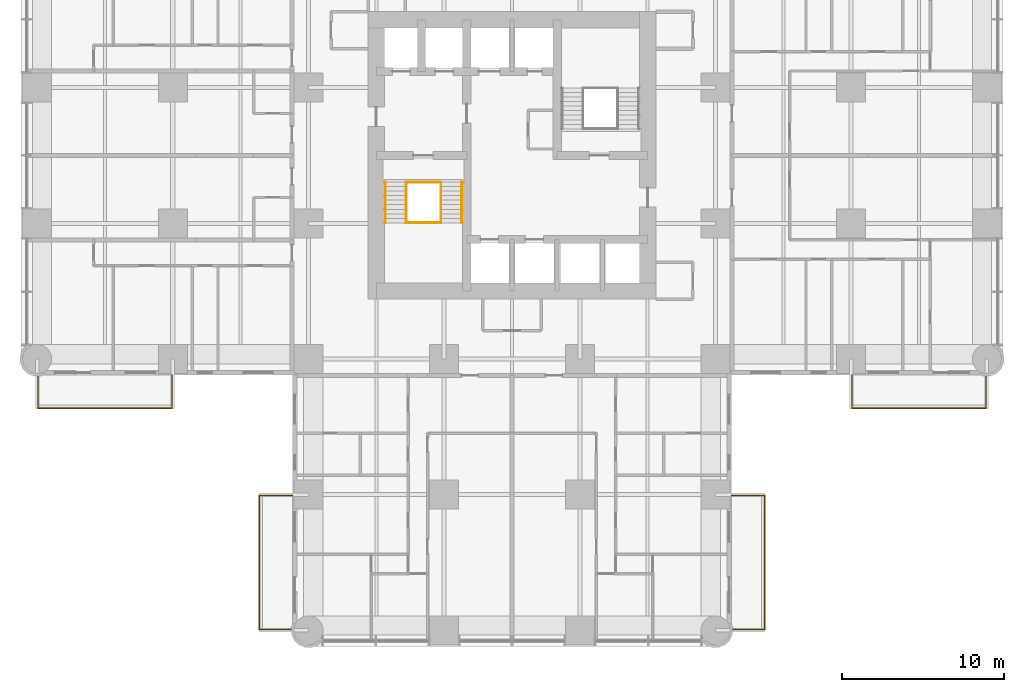
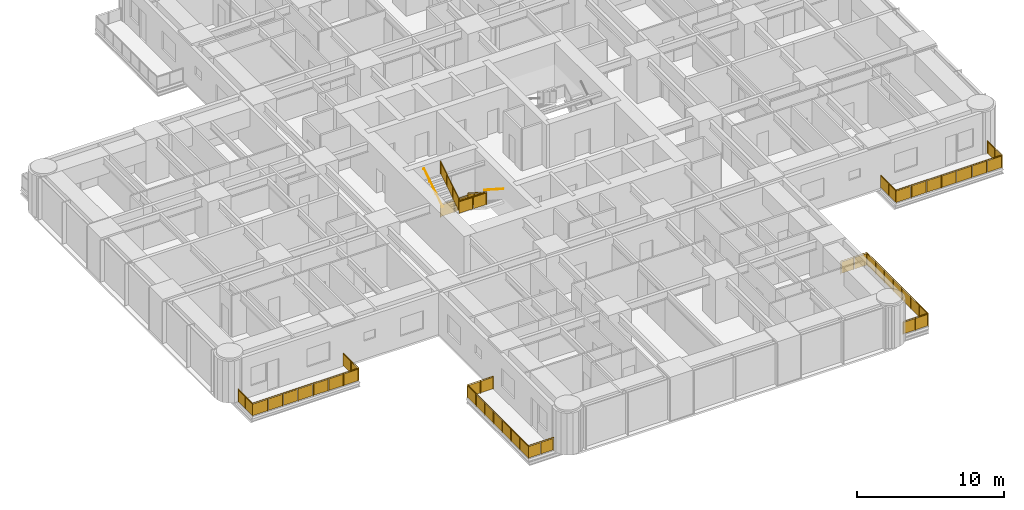
# One storey, part 16 of 17: 10 railings.
"""IFC4 building model written with IfcOpenShell, lengths in metres."""

from ifc_helpers import new_model, si_unit, direction, frame, origin, origin_2d, place, context, subcontext, project, spatial, polyline, circle, outline, extrude, material, constituent, constituent_set, type_object, element, save


model = new_model("IFC4")

# Units and contexts
model_context = context("Model", 3, precision=1e-05, world=origin(), true_north=direction((0.0, 1.0)))
body_context = subcontext(model_context, "Body", "Model", "MODEL_VIEW")
ifc_project = project(units=[si_unit("LENGTHUNIT", "METRE"), si_unit("AREAUNIT", "SQUARE_METRE"), si_unit("VOLUMEUNIT", "CUBIC_METRE"), si_unit("PLANEANGLEUNIT", "RADIAN"), si_unit("MASSUNIT", "GRAM", prefix="KILO")], contexts=[model_context])

# Site, building, storey
site_placement = place(None, origin())
site = spatial("IfcSite", under=ifc_project, at=site_placement, CompositionType="ELEMENT")
building_placement = place(site_placement, origin())
building = spatial("IfcBuilding", under=site, at=building_placement, Name="Torre Alcanfor", CompositionType="ELEMENT")
storey_placement = place(building_placement, frame((0.0, 0.0, 66.89990234375)))
storey = spatial("IfcBuildingStorey", under=building, at=storey_placement, Name="L16", CompositionType="ELEMENT", Elevation=66.89990234375)

# Railings
ifc_material_1 = material(Name="Laminated safety glass", Category="glass")
ifc_constituent_1 = constituent(ifc_material_1, Name="Infill")
ifc_material_2 = material(Name="Stainless steel ASTM A554 Grade MT 316L tube", Category="steel")
ifc_constituent_2 = constituent(ifc_material_2, Name="Posts and rail")
ifc_constituent_set = constituent_set(constituents=[ifc_constituent_1, ifc_constituent_2], Name="Balcony guard glass 1100")
railing_type_1 = type_object("IfcRailingType", Name="Balcony guard glass 1100", PredefinedType="BALUSTRADE", material=ifc_constituent_set)
railing_1_placement = place(storey_placement, frame((50.449951171875, 15.800048828125, 0.0)))
element("IfcRailing", 1, at=railing_1_placement, inside=storey, type_object=railing_type_1, Name="Balcony guard L16-E2", PredefinedType="BALUSTRADE", context=body_context, shape_type="SweptSolid", body=[
    extrude(circle(Radius=0.02392578125, at=origin_2d()), frame((0.0, 0.0, 1.076171875), z_axis=(0.0, -1.0, 0.0), x_axis=(1.0, 0.0, 0.0)), (0.0, 0.0, 1.0), 2.050048828125),
    extrude(circle(Radius=0.02392578125, at=origin_2d()), frame((0.0, -2.050048828125, 1.076171875), z_axis=(1.0, 0.0, 0.0), x_axis=(0.0, 1.0, 0.0)), (0.0, 0.0, 1.0), 8.300048828125),
    extrude(circle(Radius=0.02392578125, at=origin_2d()), frame((8.300048828125, -2.050048828125, 1.076171875), z_axis=(0.0, 1.0, 0.0), x_axis=(-1.0, 0.0, 0.0)), (0.0, 0.0, 1.0), 1.968994140625),
    extrude(circle(Radius=0.02099609375, at=origin_2d()), origin(), (0.0, 0.0, 1.0), 1.052001953125),
    extrude(circle(Radius=0.02099609375, at=origin_2d()), frame((0.0, -1.02490234375, 0.0)), (0.0, 0.0, 1.0), 1.052001953125),
    extrude(circle(Radius=0.02099609375, at=origin_2d()), frame((0.0, -2.050048828125, 0.0)), (0.0, 0.0, 1.0), 1.052001953125),
    extrude(circle(Radius=0.02099609375, at=origin_2d()), frame((1.185791015625, -2.050048828125, 0.0)), (0.0, 0.0, 1.0), 1.052001953125),
    extrude(circle(Radius=0.02099609375, at=origin_2d()), frame((2.371337890625, -2.050048828125, 0.0)), (0.0, 0.0, 1.0), 1.052001953125),
    extrude(circle(Radius=0.02099609375, at=origin_2d()), frame((3.55712890625, -2.050048828125, 0.0)), (0.0, 0.0, 1.0), 1.052001953125),
    extrude(circle(Radius=0.02099609375, at=origin_2d()), frame((4.742919921875, -2.050048828125, 0.0)), (0.0, 0.0, 1.0), 1.052001953125),
    extrude(circle(Radius=0.02099609375, at=origin_2d()), frame((5.9287109375, -2.050048828125, 0.0)), (0.0, 0.0, 1.0), 1.052001953125),
    extrude(circle(Radius=0.02099609375, at=origin_2d()), frame((7.1142578125, -2.050048828125, 0.0)), (0.0, 0.0, 1.0), 1.052001953125),
    extrude(circle(Radius=0.02099609375, at=origin_2d()), frame((8.300048828125, -2.050048828125, 0.0)), (0.0, 0.0, 1.0), 1.052001953125),
    extrude(circle(Radius=0.02099609375, at=origin_2d()), frame((8.300048828125, -1.0654296875, 0.0)), (0.0, 0.0, 1.0), 1.052001953125),
    extrude(circle(Radius=0.02099609375, at=origin_2d()), frame((8.300048828125, -0.0810546875, 0.0)), (0.0, 0.0, 1.0), 1.052001953125),
    extrude(outline(polyline([(0.041015625, 0.050048828125), (0.984130859375, 0.050048828125), (0.984130859375, 1.001953125), (0.041015625, 1.001953125), (0.041015625, 0.050048828125)])), frame((0.005859375, 0.0, 0.0), z_axis=(-1.0, 0.0, 0.0), x_axis=(0.0, -1.0, 0.0)), (0.0, 0.0, 1.0), 0.011962890625),
    extrude(outline(polyline([(1.06591796875, 0.050048828125), (2.009033203125, 0.050048828125), (2.009033203125, 1.001953125), (1.06591796875, 1.001953125), (1.06591796875, 0.050048828125)])), frame((0.005859375, 0.0, 0.0), z_axis=(-1.0, 0.0, 0.0), x_axis=(0.0, -1.0, 0.0)), (0.0, 0.0, 1.0), 0.011962890625),
    extrude(outline(polyline([(0.041015625, 0.050048828125), (1.144775390625, 0.050048828125), (1.144775390625, 1.001953125), (0.041015625, 1.001953125), (0.041015625, 0.050048828125)])), frame((0.0, -2.0439453125, 0.0), z_axis=(0.0, -1.0, 0.0), x_axis=(1.0, 0.0, 0.0)), (0.0, 0.0, 1.0), 0.011962890625),
    extrude(outline(polyline([(1.226806640625, 0.050048828125), (2.330322265625, 0.050048828125), (2.330322265625, 1.001953125), (1.226806640625, 1.001953125), (1.226806640625, 0.050048828125)])), frame((0.0, -2.0439453125, 0.0), z_axis=(0.0, -1.0, 0.0), x_axis=(1.0, 0.0, 0.0)), (0.0, 0.0, 1.0), 0.011962890625),
    extrude(outline(polyline([(2.412353515625, 0.050048828125), (3.51611328125, 0.050048828125), (3.51611328125, 1.001953125), (2.412353515625, 1.001953125), (2.412353515625, 0.050048828125)])), frame((0.0, -2.0439453125, 0.0), z_axis=(0.0, -1.0, 0.0), x_axis=(1.0, 0.0, 0.0)), (0.0, 0.0, 1.0), 0.011962890625),
    extrude(outline(polyline([(3.59814453125, 0.050048828125), (4.701904296875, 0.050048828125), (4.701904296875, 1.001953125), (3.59814453125, 1.001953125), (3.59814453125, 0.050048828125)])), frame((0.0, -2.0439453125, 0.0), z_axis=(0.0, -1.0, 0.0), x_axis=(1.0, 0.0, 0.0)), (0.0, 0.0, 1.0), 0.011962890625),
    extrude(outline(polyline([(4.783935546875, 0.050048828125), (5.8876953125, 0.050048828125), (5.8876953125, 1.001953125), (4.783935546875, 1.001953125), (4.783935546875, 0.050048828125)])), frame((0.0, -2.0439453125, 0.0), z_axis=(0.0, -1.0, 0.0), x_axis=(1.0, 0.0, 0.0)), (0.0, 0.0, 1.0), 0.011962890625),
    extrude(outline(polyline([(5.9697265625, 0.050048828125), (7.0732421875, 0.050048828125), (7.0732421875, 1.001953125), (5.9697265625, 1.001953125), (5.9697265625, 0.050048828125)])), frame((0.0, -2.0439453125, 0.0), z_axis=(0.0, -1.0, 0.0), x_axis=(1.0, 0.0, 0.0)), (0.0, 0.0, 1.0), 0.011962890625),
    extrude(outline(polyline([(7.1552734375, 0.050048828125), (8.259033203125, 0.050048828125), (8.259033203125, 1.001953125), (7.1552734375, 1.001953125), (7.1552734375, 0.050048828125)])), frame((0.0, -2.0439453125, 0.0), z_axis=(0.0, -1.0, 0.0), x_axis=(1.0, 0.0, 0.0)), (0.0, 0.0, 1.0), 0.011962890625),
    extrude(outline(polyline([(0.041015625, 0.050048828125), (0.943603515625, 0.050048828125), (0.943603515625, 1.001953125), (0.041015625, 1.001953125), (0.041015625, 0.050048828125)])), frame((8.2939453125, -2.050048828125, 0.0), z_axis=(1.0, 0.0, 0.0), x_axis=(0.0, 1.0, 0.0)), (0.0, 0.0, 1.0), 0.011962890625),
    extrude(outline(polyline([(1.025390625, 0.050048828125), (1.927978515625, 0.050048828125), (1.927978515625, 1.001953125), (1.025390625, 1.001953125), (1.025390625, 0.050048828125)])), frame((8.2939453125, -2.050048828125, 0.0), z_axis=(1.0, 0.0, 0.0), x_axis=(0.0, 1.0, 0.0)), (0.0, 0.0, 1.0), 0.011962890625),
])
railing_2_placement = place(storey_placement, frame((43.0, 8.35009765625, 0.0)))
element("IfcRailing", 2, at=railing_2_placement, inside=storey, type_object=railing_type_1, Name="Balcony guard L16-S1", PredefinedType="BALUSTRADE", context=body_context, shape_type="SweptSolid", body=[
    extrude(circle(Radius=0.02392578125, at=origin_2d()), frame((0.0, 0.0, 1.076171875), z_axis=(1.0, 0.0, 0.0), x_axis=(0.0, 1.0, 0.0)), (0.0, 0.0, 1.0), 2.050048828125),
    extrude(circle(Radius=0.02392578125, at=origin_2d()), frame((2.050048828125, 0.0, 1.076171875), z_axis=(0.0, -1.0, 0.0), x_axis=(1.0, 0.0, 0.0)), (0.0, 0.0, 1.0), 8.300048828125),
    extrude(circle(Radius=0.02392578125, at=origin_2d()), frame((2.050048828125, -8.300048828125, 1.076171875), z_axis=(-1.0, 0.0, 0.0), x_axis=(0.0, -1.0, 0.0)), (0.0, 0.0, 1.0), 1.968994140625),
    extrude(circle(Radius=0.02099609375, at=origin_2d()), origin(), (0.0, 0.0, 1.0), 1.052001953125),
    extrude(circle(Radius=0.02099609375, at=origin_2d()), frame((1.02490234375, 0.0, 0.0)), (0.0, 0.0, 1.0), 1.052001953125),
    extrude(circle(Radius=0.02099609375, at=origin_2d()), frame((2.050048828125, 0.0, 0.0)), (0.0, 0.0, 1.0), 1.052001953125),
    extrude(circle(Radius=0.02099609375, at=origin_2d()), frame((2.050048828125, -1.185791015625, 0.0)), (0.0, 0.0, 1.0), 1.052001953125),
    extrude(circle(Radius=0.02099609375, at=origin_2d()), frame((2.050048828125, -2.371337890625, 0.0)), (0.0, 0.0, 1.0), 1.052001953125),
    extrude(circle(Radius=0.02099609375, at=origin_2d()), frame((2.050048828125, -3.55712890625, 0.0)), (0.0, 0.0, 1.0), 1.052001953125),
    extrude(circle(Radius=0.02099609375, at=origin_2d()), frame((2.050048828125, -4.742919921875, 0.0)), (0.0, 0.0, 1.0), 1.052001953125),
    extrude(circle(Radius=0.02099609375, at=origin_2d()), frame((2.050048828125, -5.9287109375, 0.0)), (0.0, 0.0, 1.0), 1.052001953125),
    extrude(circle(Radius=0.02099609375, at=origin_2d()), frame((2.050048828125, -7.1142578125, 0.0)), (0.0, 0.0, 1.0), 1.052001953125),
    extrude(circle(Radius=0.02099609375, at=origin_2d()), frame((2.050048828125, -8.300048828125, 0.0)), (0.0, 0.0, 1.0), 1.052001953125),
    extrude(circle(Radius=0.02099609375, at=origin_2d()), frame((1.0654296875, -8.300048828125, 0.0)), (0.0, 0.0, 1.0), 1.052001953125),
    extrude(circle(Radius=0.02099609375, at=origin_2d()), frame((0.0810546875, -8.300048828125, 0.0)), (0.0, 0.0, 1.0), 1.052001953125),
    extrude(outline(polyline([(0.041015625, 0.050048828125), (0.984130859375, 0.050048828125), (0.984130859375, 1.001953125), (0.041015625, 1.001953125), (0.041015625, 0.050048828125)])), frame((0.0, 0.005859375, 0.0), z_axis=(0.0, -1.0, 0.0), x_axis=(1.0, 0.0, 0.0)), (0.0, 0.0, 1.0), 0.011962890625),
    extrude(outline(polyline([(1.06591796875, 0.050048828125), (2.009033203125, 0.050048828125), (2.009033203125, 1.001953125), (1.06591796875, 1.001953125), (1.06591796875, 0.050048828125)])), frame((0.0, 0.005859375, 0.0), z_axis=(0.0, -1.0, 0.0), x_axis=(1.0, 0.0, 0.0)), (0.0, 0.0, 1.0), 0.011962890625),
    extrude(outline(polyline([(0.041015625, 0.050048828125), (1.144775390625, 0.050048828125), (1.144775390625, 1.001953125), (0.041015625, 1.001953125), (0.041015625, 0.050048828125)])), frame((2.05615234375, 0.0, 0.0), z_axis=(-1.0, 0.0, 0.0), x_axis=(0.0, -1.0, 0.0)), (0.0, 0.0, 1.0), 0.011962890625),
    extrude(outline(polyline([(1.226806640625, 0.050048828125), (2.330322265625, 0.050048828125), (2.330322265625, 1.001953125), (1.226806640625, 1.001953125), (1.226806640625, 0.050048828125)])), frame((2.05615234375, 0.0, 0.0), z_axis=(-1.0, 0.0, 0.0), x_axis=(0.0, -1.0, 0.0)), (0.0, 0.0, 1.0), 0.011962890625),
    extrude(outline(polyline([(2.412353515625, 0.050048828125), (3.51611328125, 0.050048828125), (3.51611328125, 1.001953125), (2.412353515625, 1.001953125), (2.412353515625, 0.050048828125)])), frame((2.05615234375, 0.0, 0.0), z_axis=(-1.0, 0.0, 0.0), x_axis=(0.0, -1.0, 0.0)), (0.0, 0.0, 1.0), 0.011962890625),
    extrude(outline(polyline([(3.59814453125, 0.050048828125), (4.701904296875, 0.050048828125), (4.701904296875, 1.001953125), (3.59814453125, 1.001953125), (3.59814453125, 0.050048828125)])), frame((2.05615234375, 0.0, 0.0), z_axis=(-1.0, 0.0, 0.0), x_axis=(0.0, -1.0, 0.0)), (0.0, 0.0, 1.0), 0.011962890625),
    extrude(outline(polyline([(4.783935546875, 0.050048828125), (5.8876953125, 0.050048828125), (5.8876953125, 1.001953125), (4.783935546875, 1.001953125), (4.783935546875, 0.050048828125)])), frame((2.05615234375, 0.0, 0.0), z_axis=(-1.0, 0.0, 0.0), x_axis=(0.0, -1.0, 0.0)), (0.0, 0.0, 1.0), 0.011962890625),
    extrude(outline(polyline([(5.9697265625, 0.050048828125), (7.0732421875, 0.050048828125), (7.0732421875, 1.001953125), (5.9697265625, 1.001953125), (5.9697265625, 0.050048828125)])), frame((2.05615234375, 0.0, 0.0), z_axis=(-1.0, 0.0, 0.0), x_axis=(0.0, -1.0, 0.0)), (0.0, 0.0, 1.0), 0.011962890625),
    extrude(outline(polyline([(7.1552734375, 0.050048828125), (8.259033203125, 0.050048828125), (8.259033203125, 1.001953125), (7.1552734375, 1.001953125), (7.1552734375, 0.050048828125)])), frame((2.05615234375, 0.0, 0.0), z_axis=(-1.0, 0.0, 0.0), x_axis=(0.0, -1.0, 0.0)), (0.0, 0.0, 1.0), 0.011962890625),
    extrude(outline(polyline([(0.041015625, 0.050048828125), (0.943603515625, 0.050048828125), (0.943603515625, 1.001953125), (0.041015625, 1.001953125), (0.041015625, 0.050048828125)])), frame((2.050048828125, -8.30615234375, 0.0), z_axis=(0.0, 1.0, 0.0), x_axis=(-1.0, 0.0, 0.0)), (0.0, 0.0, 1.0), 0.011962890625),
    extrude(outline(polyline([(1.025390625, 0.050048828125), (1.927978515625, 0.050048828125), (1.927978515625, 1.001953125), (1.025390625, 1.001953125), (1.025390625, 0.050048828125)])), frame((2.050048828125, -8.30615234375, 0.0), z_axis=(0.0, 1.0, 0.0), x_axis=(-1.0, 0.0, 0.0)), (0.0, 0.0, 1.0), 0.011962890625),
])
railing_3_placement = place(storey_placement, frame((15.800048828125, 8.35009765625, 0.0)))
element("IfcRailing", 3, at=railing_3_placement, inside=storey, type_object=railing_type_1, Name="Balcony guard L16-S2", PredefinedType="BALUSTRADE", context=body_context, shape_type="SweptSolid", body=[
    extrude(circle(Radius=0.02392578125, at=origin_2d()), frame((0.0, 0.0, 1.076171875), z_axis=(-1.0, 0.0, 0.0), x_axis=(0.0, -1.0, 0.0)), (0.0, 0.0, 1.0), 2.050048828125),
    extrude(circle(Radius=0.02392578125, at=origin_2d()), frame((-2.050048828125, 0.0, 1.076171875), z_axis=(0.0, -1.0, 0.0), x_axis=(1.0, 0.0, 0.0)), (0.0, 0.0, 1.0), 8.300048828125),
    extrude(circle(Radius=0.02392578125, at=origin_2d()), frame((-2.050048828125, -8.300048828125, 1.076171875), z_axis=(1.0, 0.0, 0.0), x_axis=(0.0, 1.0, 0.0)), (0.0, 0.0, 1.0), 1.968994140625),
    extrude(circle(Radius=0.02099609375, at=origin_2d()), origin(), (0.0, 0.0, 1.0), 1.052001953125),
    extrude(circle(Radius=0.02099609375, at=origin_2d()), frame((-1.02490234375, 0.0, 0.0)), (0.0, 0.0, 1.0), 1.052001953125),
    extrude(circle(Radius=0.02099609375, at=origin_2d()), frame((-2.050048828125, 0.0, 0.0)), (0.0, 0.0, 1.0), 1.052001953125),
    extrude(circle(Radius=0.02099609375, at=origin_2d()), frame((-2.050048828125, -1.185791015625, 0.0)), (0.0, 0.0, 1.0), 1.052001953125),
    extrude(circle(Radius=0.02099609375, at=origin_2d()), frame((-2.050048828125, -2.371337890625, 0.0)), (0.0, 0.0, 1.0), 1.052001953125),
    extrude(circle(Radius=0.02099609375, at=origin_2d()), frame((-2.050048828125, -3.55712890625, 0.0)), (0.0, 0.0, 1.0), 1.052001953125),
    extrude(circle(Radius=0.02099609375, at=origin_2d()), frame((-2.050048828125, -4.742919921875, 0.0)), (0.0, 0.0, 1.0), 1.052001953125),
    extrude(circle(Radius=0.02099609375, at=origin_2d()), frame((-2.050048828125, -5.9287109375, 0.0)), (0.0, 0.0, 1.0), 1.052001953125),
    extrude(circle(Radius=0.02099609375, at=origin_2d()), frame((-2.050048828125, -7.1142578125, 0.0)), (0.0, 0.0, 1.0), 1.052001953125),
    extrude(circle(Radius=0.02099609375, at=origin_2d()), frame((-2.050048828125, -8.300048828125, 0.0)), (0.0, 0.0, 1.0), 1.052001953125),
    extrude(circle(Radius=0.02099609375, at=origin_2d()), frame((-1.0654296875, -8.300048828125, 0.0)), (0.0, 0.0, 1.0), 1.052001953125),
    extrude(circle(Radius=0.02099609375, at=origin_2d()), frame((-0.0810546875, -8.300048828125, 0.0)), (0.0, 0.0, 1.0), 1.052001953125),
    extrude(outline(polyline([(0.041015625, 0.050048828125), (0.984130859375, 0.050048828125), (0.984130859375, 1.001953125), (0.041015625, 1.001953125), (0.041015625, 0.050048828125)])), frame((0.0, -0.005859375, 0.0), z_axis=(0.0, 1.0, 0.0), x_axis=(-1.0, 0.0, 0.0)), (0.0, 0.0, 1.0), 0.011962890625),
    extrude(outline(polyline([(1.06591796875, 0.050048828125), (2.009033203125, 0.050048828125), (2.009033203125, 1.001953125), (1.06591796875, 1.001953125), (1.06591796875, 0.050048828125)])), frame((0.0, -0.005859375, 0.0), z_axis=(0.0, 1.0, 0.0), x_axis=(-1.0, 0.0, 0.0)), (0.0, 0.0, 1.0), 0.011962890625),
    extrude(outline(polyline([(0.041015625, 0.050048828125), (1.144775390625, 0.050048828125), (1.144775390625, 1.001953125), (0.041015625, 1.001953125), (0.041015625, 0.050048828125)])), frame((-2.0439453125, 0.0, 0.0), z_axis=(-1.0, 0.0, 0.0), x_axis=(0.0, -1.0, 0.0)), (0.0, 0.0, 1.0), 0.011962890625),
    extrude(outline(polyline([(1.226806640625, 0.050048828125), (2.330322265625, 0.050048828125), (2.330322265625, 1.001953125), (1.226806640625, 1.001953125), (1.226806640625, 0.050048828125)])), frame((-2.0439453125, 0.0, 0.0), z_axis=(-1.0, 0.0, 0.0), x_axis=(0.0, -1.0, 0.0)), (0.0, 0.0, 1.0), 0.011962890625),
    extrude(outline(polyline([(2.412353515625, 0.050048828125), (3.51611328125, 0.050048828125), (3.51611328125, 1.001953125), (2.412353515625, 1.001953125), (2.412353515625, 0.050048828125)])), frame((-2.0439453125, 0.0, 0.0), z_axis=(-1.0, 0.0, 0.0), x_axis=(0.0, -1.0, 0.0)), (0.0, 0.0, 1.0), 0.011962890625),
    extrude(outline(polyline([(3.59814453125, 0.050048828125), (4.701904296875, 0.050048828125), (4.701904296875, 1.001953125), (3.59814453125, 1.001953125), (3.59814453125, 0.050048828125)])), frame((-2.0439453125, 0.0, 0.0), z_axis=(-1.0, 0.0, 0.0), x_axis=(0.0, -1.0, 0.0)), (0.0, 0.0, 1.0), 0.011962890625),
    extrude(outline(polyline([(4.783935546875, 0.050048828125), (5.8876953125, 0.050048828125), (5.8876953125, 1.001953125), (4.783935546875, 1.001953125), (4.783935546875, 0.050048828125)])), frame((-2.0439453125, 0.0, 0.0), z_axis=(-1.0, 0.0, 0.0), x_axis=(0.0, -1.0, 0.0)), (0.0, 0.0, 1.0), 0.011962890625),
    extrude(outline(polyline([(5.9697265625, 0.050048828125), (7.0732421875, 0.050048828125), (7.0732421875, 1.001953125), (5.9697265625, 1.001953125), (5.9697265625, 0.050048828125)])), frame((-2.0439453125, 0.0, 0.0), z_axis=(-1.0, 0.0, 0.0), x_axis=(0.0, -1.0, 0.0)), (0.0, 0.0, 1.0), 0.011962890625),
    extrude(outline(polyline([(7.1552734375, 0.050048828125), (8.259033203125, 0.050048828125), (8.259033203125, 1.001953125), (7.1552734375, 1.001953125), (7.1552734375, 0.050048828125)])), frame((-2.0439453125, 0.0, 0.0), z_axis=(-1.0, 0.0, 0.0), x_axis=(0.0, -1.0, 0.0)), (0.0, 0.0, 1.0), 0.011962890625),
    extrude(outline(polyline([(0.041015625, 0.050048828125), (0.943603515625, 0.050048828125), (0.943603515625, 1.001953125), (0.041015625, 1.001953125), (0.041015625, 0.050048828125)])), frame((-2.050048828125, -8.2939453125, 0.0), z_axis=(0.0, -1.0, 0.0), x_axis=(1.0, 0.0, 0.0)), (0.0, 0.0, 1.0), 0.011962890625),
    extrude(outline(polyline([(1.025390625, 0.050048828125), (1.927978515625, 0.050048828125), (1.927978515625, 1.001953125), (1.025390625, 1.001953125), (1.025390625, 0.050048828125)])), frame((-2.050048828125, -8.2939453125, 0.0), z_axis=(0.0, -1.0, 0.0), x_axis=(1.0, 0.0, 0.0)), (0.0, 0.0, 1.0), 0.011962890625),
])
railing_4_placement = place(storey_placement, frame((8.35009765625, 15.800048828125, 0.0)))
element("IfcRailing", 4, at=railing_4_placement, inside=storey, type_object=railing_type_1, Name="Balcony guard L16-W1", PredefinedType="BALUSTRADE", context=body_context, shape_type="SweptSolid", body=[
    extrude(circle(Radius=0.02392578125, at=origin_2d()), frame((0.0, 0.0, 1.076171875), z_axis=(0.0, -1.0, 0.0), x_axis=(1.0, 0.0, 0.0)), (0.0, 0.0, 1.0), 2.050048828125),
    extrude(circle(Radius=0.02392578125, at=origin_2d()), frame((0.0, -2.050048828125, 1.076171875), z_axis=(-1.0, 0.0, 0.0), x_axis=(0.0, -1.0, 0.0)), (0.0, 0.0, 1.0), 8.300048828125),
    extrude(circle(Radius=0.02392578125, at=origin_2d()), frame((-8.300048828125, -2.050048828125, 1.076171875), z_axis=(0.0, 1.0, 0.0), x_axis=(-1.0, 0.0, 0.0)), (0.0, 0.0, 1.0), 1.968994140625),
    extrude(circle(Radius=0.02099609375, at=origin_2d()), origin(), (0.0, 0.0, 1.0), 1.052001953125),
    extrude(circle(Radius=0.02099609375, at=origin_2d()), frame((0.0, -1.02490234375, 0.0)), (0.0, 0.0, 1.0), 1.052001953125),
    extrude(circle(Radius=0.02099609375, at=origin_2d()), frame((0.0, -2.050048828125, 0.0)), (0.0, 0.0, 1.0), 1.052001953125),
    extrude(circle(Radius=0.02099609375, at=origin_2d()), frame((-1.185791015625, -2.050048828125, 0.0)), (0.0, 0.0, 1.0), 1.052001953125),
    extrude(circle(Radius=0.02099609375, at=origin_2d()), frame((-2.371337890625, -2.050048828125, 0.0)), (0.0, 0.0, 1.0), 1.052001953125),
    extrude(circle(Radius=0.02099609375, at=origin_2d()), frame((-3.55712890625, -2.050048828125, 0.0)), (0.0, 0.0, 1.0), 1.052001953125),
    extrude(circle(Radius=0.02099609375, at=origin_2d()), frame((-4.742919921875, -2.050048828125, 0.0)), (0.0, 0.0, 1.0), 1.052001953125),
    extrude(circle(Radius=0.02099609375, at=origin_2d()), frame((-5.9287109375, -2.050048828125, 0.0)), (0.0, 0.0, 1.0), 1.052001953125),
    extrude(circle(Radius=0.02099609375, at=origin_2d()), frame((-7.1142578125, -2.050048828125, 0.0)), (0.0, 0.0, 1.0), 1.052001953125),
    extrude(circle(Radius=0.02099609375, at=origin_2d()), frame((-8.300048828125, -2.050048828125, 0.0)), (0.0, 0.0, 1.0), 1.052001953125),
    extrude(circle(Radius=0.02099609375, at=origin_2d()), frame((-8.300048828125, -1.0654296875, 0.0)), (0.0, 0.0, 1.0), 1.052001953125),
    extrude(circle(Radius=0.02099609375, at=origin_2d()), frame((-8.300048828125, -0.0810546875, 0.0)), (0.0, 0.0, 1.0), 1.052001953125),
    extrude(outline(polyline([(0.041015625, 0.050048828125), (0.984130859375, 0.050048828125), (0.984130859375, 1.001953125), (0.041015625, 1.001953125), (0.041015625, 0.050048828125)])), frame((0.005859375, 0.0, 0.0), z_axis=(-1.0, 0.0, 0.0), x_axis=(0.0, -1.0, 0.0)), (0.0, 0.0, 1.0), 0.011962890625),
    extrude(outline(polyline([(1.06591796875, 0.050048828125), (2.009033203125, 0.050048828125), (2.009033203125, 1.001953125), (1.06591796875, 1.001953125), (1.06591796875, 0.050048828125)])), frame((0.005859375, 0.0, 0.0), z_axis=(-1.0, 0.0, 0.0), x_axis=(0.0, -1.0, 0.0)), (0.0, 0.0, 1.0), 0.011962890625),
    extrude(outline(polyline([(0.041015625, 0.050048828125), (1.144775390625, 0.050048828125), (1.144775390625, 1.001953125), (0.041015625, 1.001953125), (0.041015625, 0.050048828125)])), frame((0.0, -2.05615234375, 0.0), z_axis=(0.0, 1.0, 0.0), x_axis=(-1.0, 0.0, 0.0)), (0.0, 0.0, 1.0), 0.011962890625),
    extrude(outline(polyline([(1.226806640625, 0.050048828125), (2.330322265625, 0.050048828125), (2.330322265625, 1.001953125), (1.226806640625, 1.001953125), (1.226806640625, 0.050048828125)])), frame((0.0, -2.05615234375, 0.0), z_axis=(0.0, 1.0, 0.0), x_axis=(-1.0, 0.0, 0.0)), (0.0, 0.0, 1.0), 0.011962890625),
    extrude(outline(polyline([(2.412353515625, 0.050048828125), (3.51611328125, 0.050048828125), (3.51611328125, 1.001953125), (2.412353515625, 1.001953125), (2.412353515625, 0.050048828125)])), frame((0.0, -2.05615234375, 0.0), z_axis=(0.0, 1.0, 0.0), x_axis=(-1.0, 0.0, 0.0)), (0.0, 0.0, 1.0), 0.011962890625),
    extrude(outline(polyline([(3.59814453125, 0.050048828125), (4.701904296875, 0.050048828125), (4.701904296875, 1.001953125), (3.59814453125, 1.001953125), (3.59814453125, 0.050048828125)])), frame((0.0, -2.05615234375, 0.0), z_axis=(0.0, 1.0, 0.0), x_axis=(-1.0, 0.0, 0.0)), (0.0, 0.0, 1.0), 0.011962890625),
    extrude(outline(polyline([(4.783935546875, 0.050048828125), (5.8876953125, 0.050048828125), (5.8876953125, 1.001953125), (4.783935546875, 1.001953125), (4.783935546875, 0.050048828125)])), frame((0.0, -2.05615234375, 0.0), z_axis=(0.0, 1.0, 0.0), x_axis=(-1.0, 0.0, 0.0)), (0.0, 0.0, 1.0), 0.011962890625),
    extrude(outline(polyline([(5.9697265625, 0.050048828125), (7.0732421875, 0.050048828125), (7.0732421875, 1.001953125), (5.9697265625, 1.001953125), (5.9697265625, 0.050048828125)])), frame((0.0, -2.05615234375, 0.0), z_axis=(0.0, 1.0, 0.0), x_axis=(-1.0, 0.0, 0.0)), (0.0, 0.0, 1.0), 0.011962890625),
    extrude(outline(polyline([(7.1552734375, 0.050048828125), (8.259033203125, 0.050048828125), (8.259033203125, 1.001953125), (7.1552734375, 1.001953125), (7.1552734375, 0.050048828125)])), frame((0.0, -2.05615234375, 0.0), z_axis=(0.0, 1.0, 0.0), x_axis=(-1.0, 0.0, 0.0)), (0.0, 0.0, 1.0), 0.011962890625),
    extrude(outline(polyline([(0.041015625, 0.050048828125), (0.943603515625, 0.050048828125), (0.943603515625, 1.001953125), (0.041015625, 1.001953125), (0.041015625, 0.050048828125)])), frame((-8.30615234375, -2.050048828125, 0.0), z_axis=(1.0, 0.0, 0.0), x_axis=(0.0, 1.0, 0.0)), (0.0, 0.0, 1.0), 0.011962890625),
    extrude(outline(polyline([(1.025390625, 0.050048828125), (1.927978515625, 0.050048828125), (1.927978515625, 1.001953125), (1.025390625, 1.001953125), (1.025390625, 0.050048828125)])), frame((-8.30615234375, -2.050048828125, 0.0), z_axis=(1.0, 0.0, 0.0), x_axis=(0.0, 1.0, 0.0)), (0.0, 0.0, 1.0), 0.011962890625),
])
ifc_material_3 = material(Name="Steel ASTM A500 Grade C hollow sections", Category="steel")
railing_type_2 = type_object("IfcRailingType", Name="Stair guard and handrail 1100", PredefinedType="GUARDRAIL", material=ifc_material_3)
railing_5_placement = place(storey_placement, frame((25.0, 27.75, 0.18017578125)))
element("IfcRailing", 5, at=railing_5_placement, inside=storey, type_object=railing_type_2, Name="Stair guard S1 L16 flight 1", PredefinedType="GUARDRAIL", context=body_context, shape_type="SweptSolid", body=[
    extrude(circle(Radius=0.02392578125, at=origin_2d()), frame((0.0, 0.0, 1.076171875), z_axis=(0.0, -0.841199657755, 0.540724639528), x_axis=(1.0, 0.0, 0.0)), (0.0, 0.0, 1.0), 2.995849609375),
    extrude(circle(Radius=0.02099609375, at=origin_2d()), origin(), (0.0, 0.0, 1.0), 1.052001953125),
    extrude(circle(Radius=0.02099609375, at=origin_2d()), frame((0.0, -0.840087890625, 0.5400390625)), (0.0, 0.0, 1.0), 1.052001953125),
    extrude(circle(Radius=0.02099609375, at=origin_2d()), frame((0.0, -1.679931640625, 1.079833984375)), (0.0, 0.0, 1.0), 1.052001953125),
    extrude(circle(Radius=0.02099609375, at=origin_2d()), frame((0.0, -2.52001953125, 1.619873046875)), (0.0, 0.0, 1.0), 1.052001953125),
    extrude(outline(polyline([(0.041015625, 0.076416015625), (0.799072265625, 0.563720703125), (0.799072265625, 1.515625), (0.041015625, 1.0283203125), (0.041015625, 0.076416015625)])), frame((0.005859375, 0.0, 0.0), z_axis=(-1.0, 0.0, 0.0), x_axis=(0.0, -1.0, 0.0)), (0.0, 0.0, 1.0), 0.011962890625),
    extrude(outline(polyline([(0.881103515625, 0.6162109375), (1.638916015625, 1.103515625), (1.638916015625, 2.0556640625), (0.881103515625, 1.568359375), (0.881103515625, 0.6162109375)])), frame((0.005859375, 0.0, 0.0), z_axis=(-1.0, 0.0, 0.0), x_axis=(0.0, -1.0, 0.0)), (0.0, 0.0, 1.0), 0.011962890625),
    extrude(outline(polyline([(1.720947265625, 1.15625), (2.47900390625, 1.6435546875), (2.47900390625, 2.595458984375), (1.720947265625, 2.108154296875), (1.720947265625, 1.15625)])), frame((0.005859375, 0.0, 0.0), z_axis=(-1.0, 0.0, 0.0), x_axis=(0.0, -1.0, 0.0)), (0.0, 0.0, 1.0), 0.011962890625),
])
railing_6_placement = place(storey_placement, frame((22.85009765625, 25.22998046875, 1.97998046875)))
element("IfcRailing", 6, at=railing_6_placement, inside=storey, type_object=railing_type_2, Name="Stair guard S1 L16 flight 2", PredefinedType="GUARDRAIL", context=body_context, shape_type="SweptSolid", body=[
    extrude(circle(Radius=0.02392578125, at=origin_2d()), frame((0.0, 0.0, 1.076171875), z_axis=(0.0, 0.841162588446, 0.540782303519), x_axis=(-1.0, 0.0, 0.0)), (0.0, 0.0, 1.0), 2.995849609375),
    extrude(circle(Radius=0.02099609375, at=origin_2d()), origin(), (0.0, 0.0, 1.0), 1.052001953125),
    extrude(circle(Radius=0.02099609375, at=origin_2d()), frame((0.0, 0.840087890625, 0.5400390625)), (0.0, 0.0, 1.0), 1.052001953125),
    extrude(circle(Radius=0.02099609375, at=origin_2d()), frame((0.0, 1.679931640625, 1.080078125)), (0.0, 0.0, 1.0), 1.052001953125),
    extrude(circle(Radius=0.02099609375, at=origin_2d()), frame((0.0, 2.52001953125, 1.6201171875)), (0.0, 0.0, 1.0), 1.052001953125),
    extrude(outline(polyline([(0.041015625, 0.076416015625), (0.799072265625, 0.563720703125), (0.799072265625, 1.515625), (0.041015625, 1.0283203125), (0.041015625, 0.076416015625)])), frame((-0.005859375, 0.0, 0.0), z_axis=(1.0, 0.0, 0.0), x_axis=(0.0, 1.0, 0.0)), (0.0, 0.0, 1.0), 0.011962890625),
    extrude(outline(polyline([(0.881103515625, 0.616455078125), (1.638916015625, 1.103759765625), (1.638916015625, 2.0556640625), (0.881103515625, 1.568359375), (0.881103515625, 0.616455078125)])), frame((-0.005859375, 0.0, 0.0), z_axis=(1.0, 0.0, 0.0), x_axis=(0.0, 1.0, 0.0)), (0.0, 0.0, 1.0), 0.011962890625),
    extrude(outline(polyline([(1.720947265625, 1.156494140625), (2.47900390625, 1.643798828125), (2.47900390625, 2.595703125), (1.720947265625, 2.1083984375), (1.720947265625, 1.156494140625)])), frame((-0.005859375, 0.0, 0.0), z_axis=(1.0, 0.0, 0.0), x_axis=(0.0, 1.0, 0.0)), (0.0, 0.0, 1.0), 0.011962890625),
])
for number, where, name in (
    (7, (22.85009765625, 27.75, 0.0), "Stair well guard S1 L16 floor landing"),
    (8, (22.85009765625, 25.22998046875, 1.800048828125), "Stair well guard S1 L16 half landing"),
):
    element("IfcRailing", number, at=place(storey_placement, frame(where)), inside=storey, type_object=railing_type_2, Name=name, PredefinedType="GUARDRAIL", context=body_context, shape_type="SweptSolid", body=[
        extrude(circle(Radius=0.02392578125, at=origin_2d()), frame((0.0, 0.0, 1.076171875), z_axis=(1.0, 0.0, 0.0), x_axis=(0.0, 1.0, 0.0)), (0.0, 0.0, 1.0), 2.14990234375),
        extrude(circle(Radius=0.02099609375, at=origin_2d()), origin(), (0.0, 0.0, 1.0), 1.052001953125),
        extrude(circle(Radius=0.02099609375, at=origin_2d()), frame((1.074951171875, 0.0, 0.0)), (0.0, 0.0, 1.0), 1.052001953125),
        extrude(circle(Radius=0.02099609375, at=origin_2d()), frame((2.14990234375, 0.0, 0.0)), (0.0, 0.0, 1.0), 1.052001953125),
        extrude(outline(polyline([(0.041015625, 0.050048828125), (1.033935546875, 0.050048828125), (1.033935546875, 1.001953125), (0.041015625, 1.001953125), (0.041015625, 0.050048828125)])), frame((0.0, 0.005859375, 0.0), z_axis=(0.0, -1.0, 0.0), x_axis=(1.0, 0.0, 0.0)), (0.0, 0.0, 1.0), 0.011962890625),
        extrude(outline(polyline([(1.115966796875, 0.050048828125), (2.10888671875, 0.050048828125), (2.10888671875, 1.001953125), (1.115966796875, 1.001953125), (1.115966796875, 0.050048828125)])), frame((0.0, 0.005859375, 0.0), z_axis=(0.0, -1.0, 0.0), x_axis=(1.0, 0.0, 0.0)), (0.0, 0.0, 1.0), 0.011962890625),
    ])
ifc_material_4 = material(Name="Steel ASTM A500 Grade C hollow sections", Category="steel")
railing_type_3 = type_object("IfcRailingType", Name="Stair wall handrail 900", PredefinedType="HANDRAIL", material=ifc_material_4)
railing_7_placement = place(storey_placement, frame((26.284912109375, 27.75, 0.18017578125)))
element("IfcRailing", 9, at=railing_7_placement, inside=storey, type_object=railing_type_3, Name="Stair handrail S1 L16 flight 1", PredefinedType="HANDRAIL", context=body_context, shape_type="SweptSolid", body=[
    extrude(circle(Radius=0.02392578125, at=origin_2d()), frame((0.0, 0.0, 0.8759765625), z_axis=(0.0, -0.841199657755, 0.540724639528), x_axis=(1.0, 0.0, 0.0)), (0.0, 0.0, 1.0), 2.995849609375),
    extrude(circle(Radius=0.008056640625, at=origin_2d()), frame((0.0, 0.0, 0.8759765625), z_axis=(1.0, 0.0, 0.0), x_axis=(0.0, 0.0, 1.0)), (0.0, 0.0, 1.0), 0.06494140625),
    extrude(circle(Radius=0.008056640625, at=origin_2d()), frame((0.0, -0.840087890625, 1.415771484375), z_axis=(1.0, 0.0, 0.0), x_axis=(0.0, 0.0, 1.0)), (0.0, 0.0, 1.0), 0.06494140625),
    extrude(circle(Radius=0.008056640625, at=origin_2d()), frame((0.0, -1.679931640625, 1.955810546875), z_axis=(1.0, 0.0, 0.0), x_axis=(0.0, 0.0, 1.0)), (0.0, 0.0, 1.0), 0.06494140625),
    extrude(circle(Radius=0.008056640625, at=origin_2d()), frame((0.0, -2.52001953125, 2.49560546875), z_axis=(1.0, 0.0, 0.0), x_axis=(0.0, 0.0, 1.0)), (0.0, 0.0, 1.0), 0.06494140625),
])
railing_8_placement = place(storey_placement, frame((21.56494140625, 25.22998046875, 1.97998046875)))
element("IfcRailing", 10, at=railing_8_placement, inside=storey, type_object=railing_type_3, Name="Stair handrail S1 L16 flight 2", PredefinedType="HANDRAIL", context=body_context, shape_type="SweptSolid", body=[
    extrude(circle(Radius=0.02392578125, at=origin_2d()), frame((0.0, 0.0, 0.8759765625), z_axis=(0.0, 0.841162588446, 0.540782303519), x_axis=(-1.0, 0.0, 0.0)), (0.0, 0.0, 1.0), 2.995849609375),
    extrude(circle(Radius=0.008056640625, at=origin_2d()), frame((0.0, 0.0, 0.8759765625), z_axis=(-1.0, 0.0, 0.0), x_axis=(0.0, 0.0, 1.0)), (0.0, 0.0, 1.0), 0.06494140625),
    extrude(circle(Radius=0.008056640625, at=origin_2d()), frame((0.0, 0.840087890625, 1.416015625), z_axis=(-1.0, 0.0, 0.0), x_axis=(0.0, 0.0, 1.0)), (0.0, 0.0, 1.0), 0.06494140625),
    extrude(circle(Radius=0.008056640625, at=origin_2d()), frame((0.0, 1.679931640625, 1.9560546875), z_axis=(-1.0, 0.0, 0.0), x_axis=(0.0, 0.0, 1.0)), (0.0, 0.0, 1.0), 0.06494140625),
    extrude(circle(Radius=0.008056640625, at=origin_2d()), frame((0.0, 2.52001953125, 2.49609375), z_axis=(-1.0, 0.0, 0.0), x_axis=(0.0, 0.0, 1.0)), (0.0, 0.0, 1.0), 0.06494140625),
])

save(model, "model.ifc")
